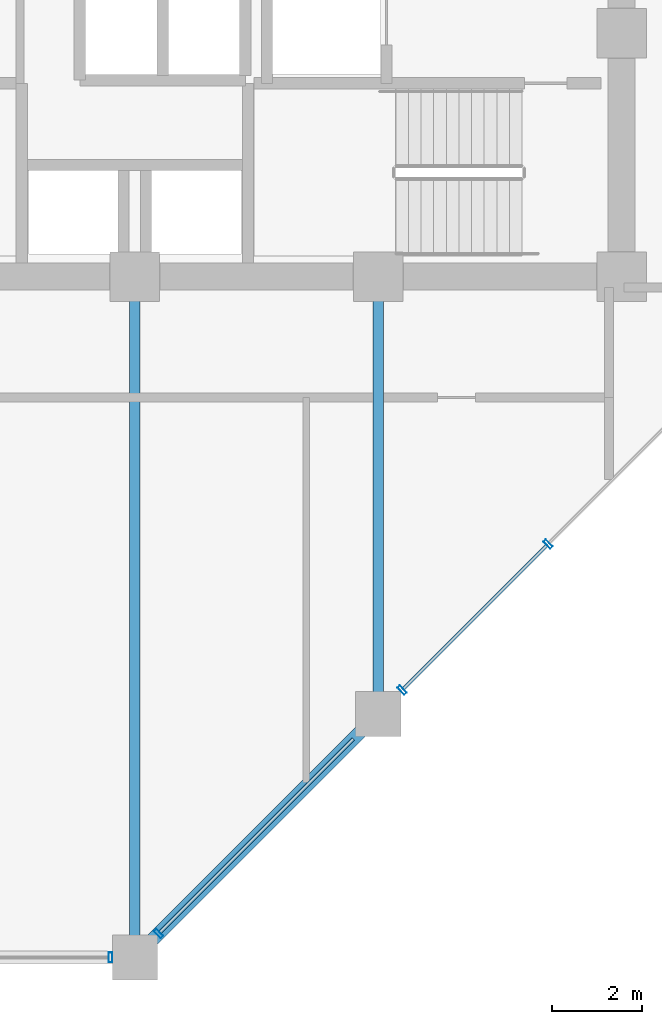
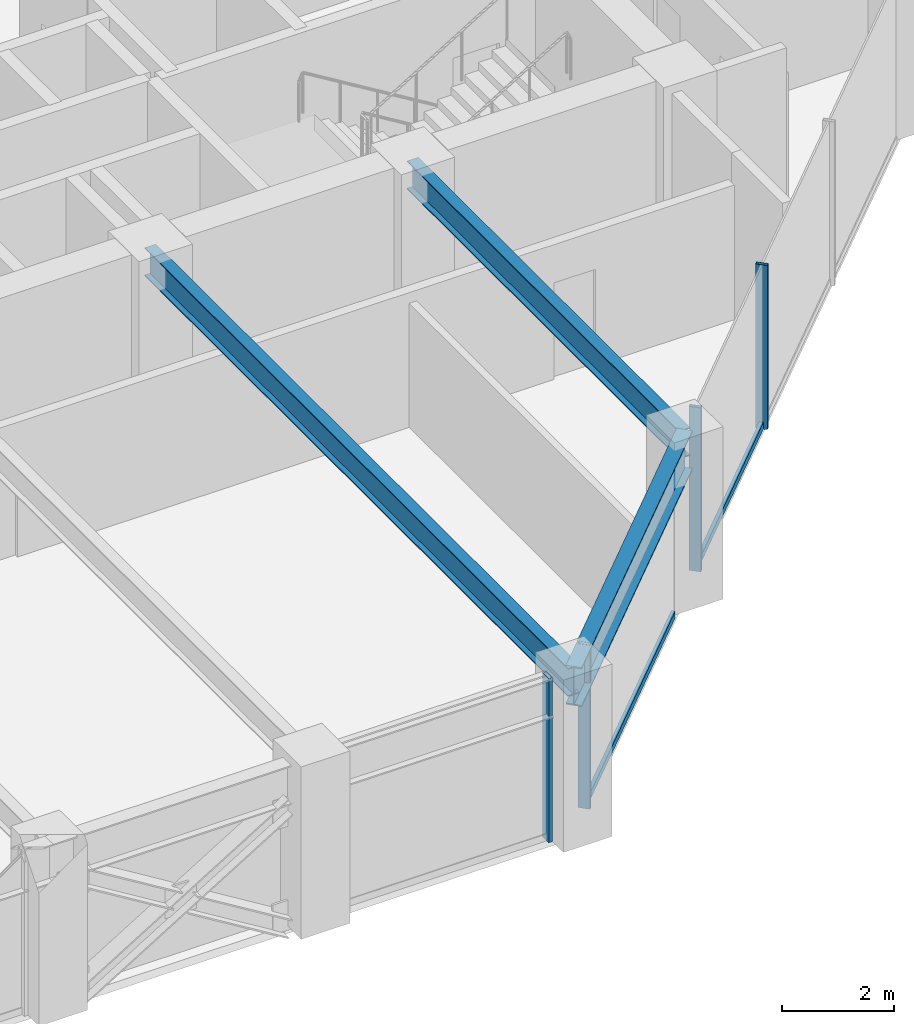
# One storey, part 7 of 26: 6 members, 3 beams, 2 elements without a shape of their own.
"""IFC4 building model written with IfcOpenShell, lengths in metres."""

from ifc_helpers import new_model, si_unit, direction, frame, origin, origin_2d, place, context, subcontext, project, spatial, hollow_rectangle, i_section, extrude, material, layer, layer_set, material_profile, profile_set, type_object, element, aggregate, save


model = new_model("IFC4")

# Units and contexts
model_context = context("Model", 3, precision=1e-05, world=origin(), true_north=direction((0.0, 1.0)))
body_context = subcontext(model_context, "Body", "Model", "MODEL_VIEW")
ifc_project = project(units=[si_unit("LENGTHUNIT", "METRE"), si_unit("AREAUNIT", "SQUARE_METRE"), si_unit("VOLUMEUNIT", "CUBIC_METRE"), si_unit("PLANEANGLEUNIT", "RADIAN"), si_unit("MASSUNIT", "GRAM", prefix="KILO")], contexts=[model_context])

# Site, building, storey
site_placement = place(None, origin())
site = spatial("IfcSite", under=ifc_project, at=site_placement, CompositionType="ELEMENT")
building_placement = place(site_placement, origin())
building = spatial("IfcBuilding", under=site, at=building_placement, Name="Surkhivell Harbour Commons", CompositionType="ELEMENT")
storey_placement = place(building_placement, frame((0.0, 0.0, 143.25)))
storey = spatial("IfcBuildingStorey", under=building, at=storey_placement, Name="L37", CompositionType="ELEMENT", Elevation=143.25)

# Beams
ifc_material_1 = material(Name="Steel S355", Category="steel")
ifc_material_profile_1 = material_profile(ifc_material_1, i_section(OverallWidth=0.22998046875, OverallDepth=0.616943359375, WebThickness=0.01318359375, FlangeThickness=0.022216796875, at=origin_2d()), Name="UB610x229x140")
ifc_profile_set_1 = profile_set([ifc_material_profile_1], Name="Steel S355")
beam_type_1 = type_object("IfcBeamType", Name="BM-GRD-610B", PredefinedType="BEAM", material=ifc_profile_set_1)
beam_1_placement = place(storey_placement, frame((0.0, -25.89990234375, 3.261474609375), z_axis=(0.0, 1.0, 0.0), x_axis=(-1.0, 0.0, 0.0)))
element("IfcBeam", 1, at=beam_1_placement, inside=storey, type_object=beam_type_1, Name="L37 Floor Girder (0.0,-25.9)", PredefinedType="BEAM", context=body_context, shape_type="SweptSolid", body=[
    extrude(i_section(OverallWidth=0.22998046875, OverallDepth=0.616943359375, WebThickness=0.01318359375, FlangeThickness=0.022216796875, at=origin_2d()), origin(), (0.0, 0.0, 1.0), 15.099853515625),
])
beam_2_placement = place(storey_placement, frame((5.39990234375, -20.5, 3.261474609375), z_axis=(0.0, 1.0, 0.0), x_axis=(-1.0, 0.0, 0.0)))
element("IfcBeam", 2, at=beam_2_placement, inside=storey, type_object=beam_type_1, Name="L37 Floor Girder (5.4,-20.5)", PredefinedType="BEAM", context=body_context, shape_type="SweptSolid", body=[
    extrude(i_section(OverallWidth=0.22998046875, OverallDepth=0.616943359375, WebThickness=0.01318359375, FlangeThickness=0.022216796875, at=origin_2d()), origin(), (0.0, 0.0, 1.0), 9.699951171875),
])
ifc_material_2 = material(Name="Steel S460", Category="steel")
ifc_material_profile_2 = material_profile(ifc_material_2, i_section(OverallWidth=0.2939453125, OverallDepth=0.85107421875, WebThickness=0.01611328125, FlangeThickness=0.02685546875, at=origin_2d()), Name="UB838x292x226")
ifc_profile_set_2 = profile_set([ifc_material_profile_2], Name="Steel S460")
beam_type_2 = type_object("IfcBeamType", Name="BM-SPN-838", PredefinedType="SPANDREL", material=ifc_profile_set_2)
beam_3_placement = place(storey_placement, frame((0.0, -25.89990234375, 3.14453125), z_axis=(0.707106781187, 0.707106781187, 0.0), x_axis=(-0.707106781187, 0.707106781187, 0.0)))
element("IfcBeam", 3, at=beam_3_placement, inside=storey, type_object=beam_type_2, Name="L37 Tube Spandrel (-0.0,-25.9)", PredefinedType="SPANDREL", context=body_context, shape_type="SweptSolid", body=[
    extrude(i_section(OverallWidth=0.2939453125, OverallDepth=0.85107421875, WebThickness=0.01611328125, FlangeThickness=0.02685546875, at=origin_2d()), origin(), (0.0, 0.0, 1.0), 7.63671875),
])

# Curtain wall, member
ifc_material_3 = material(Name="Anodised pale-metal aluminium and insulated glazing", Category="aluminium")
ifc_layer = layer(ifc_material_3, 0.205078125)
ifc_layer_set = layer_set([ifc_layer], Name="Anodised pale-metal aluminium and insulated glazing")
curtain_wall_type = type_object("IfcCurtainWallType", Name="CW-SYS-Z2", PredefinedType="NOTDEFINED", material=ifc_layer_set)
curtain_wall_1_placement = place(storey_placement, origin())
curtain_wall_1 = element("IfcCurtainWall", 4, at=curtain_wall_1_placement, inside=storey, type_object=curtain_wall_type, Name="L37 Curtain Wall CW-L37-E00S2", PredefinedType="NOTDEFINED")
ifc_material_4 = material(Name="Anodised pale-metal aluminium alloy 6063-T6", Category="aluminium")
ifc_material_profile_3 = material_profile(ifc_material_4, hollow_rectangle(XDim=0.074951171875, YDim=0.219970703125, WallThickness=0.00390625, at=origin_2d()), Name="ALU-MULL-75x220")
ifc_profile_set_3 = profile_set([ifc_material_profile_3], Name="Anodised pale-metal aluminium alloy 6063-T6")
member_type_1 = type_object("IfcMemberType", Name="CWM-220", PredefinedType="MULLION", material=ifc_profile_set_3)
member_1_placement = place(storey_placement, frame((-0.53955078125, -25.89990234375, 0.0), z_axis=(0.0, 0.0, 1.0), x_axis=(1.0, 0.0, 0.0)))
member_1 = element("IfcMember", 5, at=member_1_placement, type_object=member_type_1, Name="CW-Z2 mullion 2", PredefinedType="MULLION", context=body_context, shape_type="SweptSolid", body=[
    extrude(hollow_rectangle(XDim=0.074951171875, YDim=0.219970703125, WallThickness=0.00390625, at=origin_2d()), origin(), (0.0, 0.0, 1.0), 3.570068359375),
])
aggregate(curtain_wall_1, [member_1])

# Curtain wall, members
curtain_wall_2_placement = place(storey_placement, origin())
curtain_wall_2 = element("IfcCurtainWall", 6, at=curtain_wall_2_placement, inside=storey, type_object=curtain_wall_type, Name="L37 Curtain Wall CW-L37-E01", PredefinedType="NOTDEFINED")
member_2_placement = place(storey_placement, frame((0.5283203125, -25.371826171875, 0.0), z_axis=(0.0, 0.0, 1.0), x_axis=(0.707106781187, 0.707106781187, 0.0)))
member_2 = element("IfcMember", 7, at=member_2_placement, type_object=member_type_1, Name="CW-Z2 mullion 1", PredefinedType="MULLION", context=body_context, shape_type="SweptSolid", body=[
    extrude(hollow_rectangle(XDim=0.074951171875, YDim=0.219970703125, WallThickness=0.00390625, at=origin_2d()), origin(), (0.0, 0.0, 1.0), 3.570068359375),
])
member_3_placement = place(storey_placement, frame((5.92822265625, -19.9716796875, 0.0), z_axis=(0.0, 0.0, 1.0), x_axis=(0.707106781187, 0.707106781187, 0.0)))
member_3 = element("IfcMember", 8, at=member_3_placement, type_object=member_type_1, Name="CW-Z2 mullion 2", PredefinedType="MULLION", context=body_context, shape_type="SweptSolid", body=[
    extrude(hollow_rectangle(XDim=0.074951171875, YDim=0.219970703125, WallThickness=0.00390625, at=origin_2d()), origin(), (0.0, 0.0, 1.0), 3.570068359375),
])
member_4_placement = place(storey_placement, frame((9.167236328125, -16.732666015625, 0.0), z_axis=(0.0, 0.0, 1.0), x_axis=(0.707106781187, 0.707106781187, 0.0)))
member_4 = element("IfcMember", 9, at=member_4_placement, type_object=member_type_1, Name="CW-Z2 mullion 3", PredefinedType="MULLION", context=body_context, shape_type="SweptSolid", body=[
    extrude(hollow_rectangle(XDim=0.074951171875, YDim=0.219970703125, WallThickness=0.00390625, at=origin_2d()), origin(), (0.0, 0.0, 1.0), 3.570068359375),
])
ifc_material_profile_4 = material_profile(ifc_material_4, hollow_rectangle(XDim=0.074951171875, YDim=0.14990234375, WallThickness=0.00341796875, at=origin_2d()), Name="ALU-TRAN-75x150")
ifc_profile_set_4 = profile_set([ifc_material_profile_4], Name="Anodised pale-metal aluminium alloy 6063-T6")
member_type_2 = type_object("IfcMemberType", Name="CWT-150", PredefinedType="USERDEFINED", material=ifc_profile_set_4)
member_5_placement = place(storey_placement, frame((0.5546875, -25.34521484375, 0.074951171875), z_axis=(0.707106781187, 0.707106781187, 0.0), x_axis=(-0.707106781187, 0.707106781187, 0.0)))
member_5 = element("IfcMember", 10, at=member_5_placement, type_object=member_type_2, Name="CW-Z2 transom 1.1", ObjectType="TRANSOM", PredefinedType="USERDEFINED", context=body_context, shape_type="SweptSolid", body=[
    extrude(hollow_rectangle(XDim=0.074951171875, YDim=0.14990234375, WallThickness=0.00341796875, at=origin_2d()), origin(), (0.0, 0.0, 1.0), 6.067626953125),
])
member_6_placement = place(storey_placement, frame((5.954833984375, -19.9453125, 0.074951171875), z_axis=(0.707079687416, 0.707133873919, 0.0), x_axis=(-0.707133873919, 0.707079687416, 0.0)))
member_6 = element("IfcMember", 11, at=member_6_placement, type_object=member_type_2, Name="CW-Z2 transom 2.1", ObjectType="TRANSOM", PredefinedType="USERDEFINED", context=body_context, shape_type="SweptSolid", body=[
    extrude(hollow_rectangle(XDim=0.074951171875, YDim=0.14990234375, WallThickness=0.00341796875, at=origin_2d()), origin(), (0.0, 0.0, 1.0), 4.505615234375),
])
aggregate(curtain_wall_2, [member_2, member_5, member_3, member_4, member_6])

save(model, "model.ifc")
